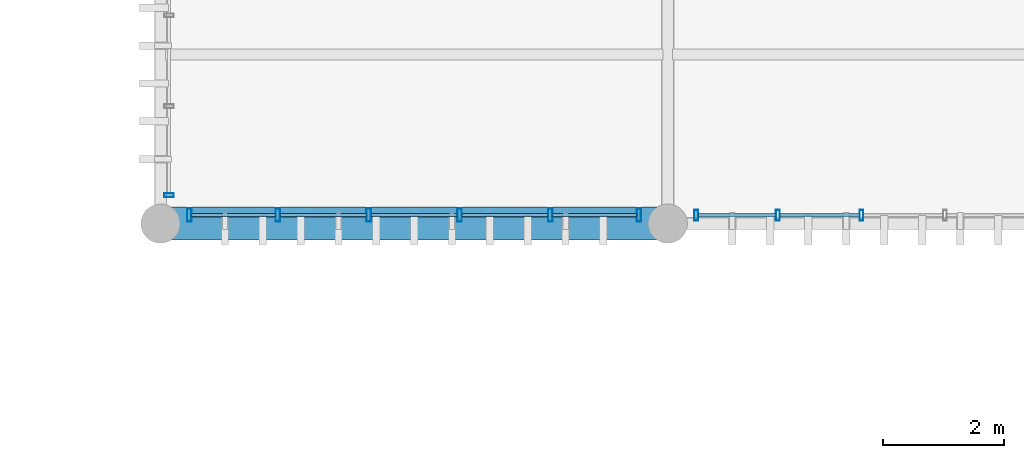
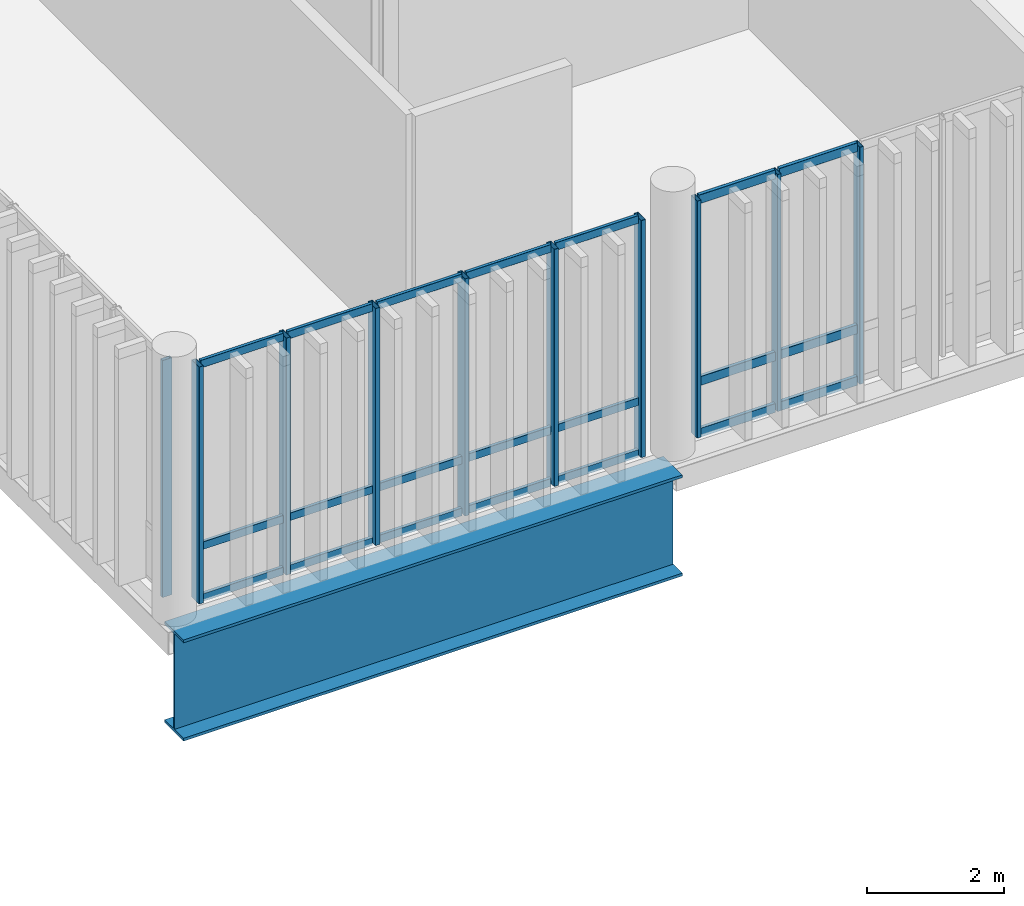
# One storey, part 39 of 81: 31 members, 1 beam, 3 elements without a shape of their own.
"""IFC4 building model written with IfcOpenShell, lengths in metres."""

from ifc_helpers import new_model, si_unit, direction, frame, origin_with_axes, origin_2d_with_axis, place, context, subcontext, project, spatial, hollow_rectangle, i_section, extrude, material, material_profile, profile_set, type_object, element, aggregate, save


model = new_model("IFC4")

# Units and contexts
model_context = context("Model", 3, precision=1e-05, world=origin_with_axes(), true_north=direction((0.0, 1.0)))
body_context = subcontext(model_context, "Body", "Model", "MODEL_VIEW")
ifc_project = project(units=[si_unit("LENGTHUNIT", "METRE"), si_unit("AREAUNIT", "SQUARE_METRE"), si_unit("VOLUMEUNIT", "CUBIC_METRE"), si_unit("PLANEANGLEUNIT", "RADIAN"), si_unit("MASSUNIT", "GRAM", prefix="KILO"), si_unit("THERMODYNAMICTEMPERATUREUNIT", "KELVIN")], contexts=[model_context])

# Site, building, storey
site_placement = place(None, origin_with_axes())
site = spatial("IfcSite", under=ifc_project, at=site_placement, CompositionType="ELEMENT")
building_placement = place(site_placement, origin_with_axes())
building = spatial("IfcBuilding", under=site, at=building_placement, Name="Montbau Bow Law Courts", CompositionType="ELEMENT")
storey_placement = place(building_placement, frame((0.0, 0.0, 24.9), z_axis=(0.0, 0.0, 1.0), x_axis=(1.0, 0.0, 0.0)))
storey = spatial("IfcBuildingStorey", under=building, at=storey_placement, Name="L05", CompositionType="ELEMENT", Elevation=24.9)

# Beam
ifc_material_1 = material(Name="Steel CSA G40.21 Grade 350WT (350 MPa)", Category="steel")
ifc_material_profile_1 = material_profile(ifc_material_1, i_section(OverallWidth=0.55, OverallDepth=1.8, WebThickness=0.022, FlangeThickness=0.05, at=origin_2d_with_axis()), Name="WWF1800X550", Category="Main", Priority=0)
ifc_profile_set_1 = profile_set([ifc_material_profile_1], Name="Steel CSA G40.21 Grade 350WT (350 MPa)")
beam_type = type_object("IfcBeamType", Name="B-TRG-01", PredefinedType="USERDEFINED", material=ifc_profile_set_1)
beam_placement = place(None, frame((138.6, 78.0, 23.7), z_axis=(1.0, 0.0, 0.0), x_axis=(0.0, 1.0, 0.0)))
element("IfcBeam", 1, at=beam_placement, inside=storey, type_object=beam_type, Name="TRG-L05-S0116:bm2_0119", ObjectType="GIRDER", PredefinedType="USERDEFINED", context=body_context, shape_type="SweptSolid", body=[
    extrude(i_section(OverallWidth=0.55, OverallDepth=1.8, WebThickness=0.022, FlangeThickness=0.05, at=origin_2d_with_axis()), origin_with_axes(), (0.0, 0.0, 1.0), 8.4),
])

# Curtain wall, members
ifc_material_2 = material(Name="Thermally Broken Extruded Aluminium AA 6063-T6", Category="aluminium")
curtain_wall_type = type_object("IfcCurtainWallType", Name="CW-SLT-02", PredefinedType="NOTDEFINED", material=ifc_material_2)
curtain_wall_1_placement = place(None, frame((139.04, 78.14, 24.9), z_axis=(0.0, 0.0, 1.0), x_axis=(1.0, 0.0, 0.0)))
curtain_wall_1 = element("IfcCurtainWall", 2, at=curtain_wall_1_placement, inside=storey, type_object=curtain_wall_type, Name="CW-L05-333:cw_0333", PredefinedType="NOTDEFINED")
ifc_material_profile_2 = material_profile(ifc_material_2, hollow_rectangle(XDim=0.075, YDim=0.22, WallThickness=0.005, InnerFilletRadius=0.01, OuterFilletRadius=0.005, at=origin_2d_with_axis()), Name="CWM-220X75", Category="Main", Priority=0)
ifc_profile_set_2 = profile_set([ifc_material_profile_2], Name="Thermally Broken Extruded Aluminium AA 6063-T6")
member_type_1 = type_object("IfcMemberType", Name="M-MUL-01", PredefinedType="MULLION", material=ifc_profile_set_2)
member_1_placement = place(None, frame((139.077, 78.14, 24.9), z_axis=(0.0, 0.0, 1.0), x_axis=(1.0, 0.0, 0.0)))
member_1 = element("IfcMember", 3, at=member_1_placement, type_object=member_type_1, Name="CW-L05-333-M01:cw_0333_M01", PredefinedType="MULLION", context=body_context, shape_type="SweptSolid", body=[
    extrude(hollow_rectangle(XDim=0.075, YDim=0.22, WallThickness=0.005, InnerFilletRadius=0.01, OuterFilletRadius=0.005, at=origin_2d_with_axis()), origin_with_axes(), (0.0, 0.0, 1.0), 4.22),
])
member_2_placement = place(None, frame((140.544, 78.14, 24.9), z_axis=(0.0, 0.0, 1.0), x_axis=(1.0, 0.0, 0.0)))
member_2 = element("IfcMember", 4, at=member_2_placement, type_object=member_type_1, Name="CW-L05-333-M02:cw_0333_M02", PredefinedType="MULLION", context=body_context, shape_type="SweptSolid", body=[
    extrude(hollow_rectangle(XDim=0.075, YDim=0.22, WallThickness=0.005, InnerFilletRadius=0.01, OuterFilletRadius=0.005, at=origin_2d_with_axis()), origin_with_axes(), (0.0, 0.0, 1.0), 4.22),
])
member_3_placement = place(None, frame((142.048, 78.14, 24.9), z_axis=(0.0, 0.0, 1.0), x_axis=(1.0, 0.0, 0.0)))
member_3 = element("IfcMember", 5, at=member_3_placement, type_object=member_type_1, Name="CW-L05-333-M03:cw_0333_M03", PredefinedType="MULLION", context=body_context, shape_type="SweptSolid", body=[
    extrude(hollow_rectangle(XDim=0.075, YDim=0.22, WallThickness=0.005, InnerFilletRadius=0.01, OuterFilletRadius=0.005, at=origin_2d_with_axis()), origin_with_axes(), (0.0, 0.0, 1.0), 4.22),
])
member_4_placement = place(None, frame((143.552, 78.14, 24.9), z_axis=(0.0, 0.0, 1.0), x_axis=(1.0, 0.0, 0.0)))
member_4 = element("IfcMember", 6, at=member_4_placement, type_object=member_type_1, Name="CW-L05-333-M04:cw_0333_M04", PredefinedType="MULLION", context=body_context, shape_type="SweptSolid", body=[
    extrude(hollow_rectangle(XDim=0.075, YDim=0.22, WallThickness=0.005, InnerFilletRadius=0.01, OuterFilletRadius=0.005, at=origin_2d_with_axis()), origin_with_axes(), (0.0, 0.0, 1.0), 4.22),
])
member_5_placement = place(None, frame((145.056, 78.14, 24.9), z_axis=(0.0, 0.0, 1.0), x_axis=(1.0, 0.0, 0.0)))
member_5 = element("IfcMember", 7, at=member_5_placement, type_object=member_type_1, Name="CW-L05-333-M05:cw_0333_M05", PredefinedType="MULLION", context=body_context, shape_type="SweptSolid", body=[
    extrude(hollow_rectangle(XDim=0.075, YDim=0.22, WallThickness=0.005, InnerFilletRadius=0.01, OuterFilletRadius=0.005, at=origin_2d_with_axis()), origin_with_axes(), (0.0, 0.0, 1.0), 4.22),
])
member_6_placement = place(None, frame((146.523, 78.14, 24.9), z_axis=(0.0, 0.0, 1.0), x_axis=(1.0, 0.0, 0.0)))
member_6 = element("IfcMember", 8, at=member_6_placement, type_object=member_type_1, Name="CW-L05-333-M06:cw_0333_M06", PredefinedType="MULLION", context=body_context, shape_type="SweptSolid", body=[
    extrude(hollow_rectangle(XDim=0.075, YDim=0.22, WallThickness=0.005, InnerFilletRadius=0.01, OuterFilletRadius=0.005, at=origin_2d_with_axis()), origin_with_axes(), (0.0, 0.0, 1.0), 4.22),
])

curtain_wall_2_placement = place(None, frame((147.44, 78.14, 24.9), z_axis=(0.0, 0.0, 1.0), x_axis=(1.0, 0.0, 0.0)))
curtain_wall_2 = element("IfcCurtainWall", 9, at=curtain_wall_2_placement, inside=storey, type_object=curtain_wall_type, Name="CW-L05-334:cw_0334", PredefinedType="NOTDEFINED")
ifc_material_profile_3 = material_profile(ifc_material_2, hollow_rectangle(XDim=0.065, YDim=0.18, WallThickness=0.005, InnerFilletRadius=0.01, OuterFilletRadius=0.005, at=origin_2d_with_axis()), Name="CWM-180X65", Category="Main", Priority=0)
ifc_profile_set_3 = profile_set([ifc_material_profile_3], Name="Thermally Broken Extruded Aluminium AA 6063-T6")
member_type_2 = type_object("IfcMemberType", Name="M-MUL-02", PredefinedType="MULLION", material=ifc_profile_set_3)
member_7_placement = place(None, frame((147.473, 78.14, 24.9), z_axis=(0.0, 0.0, 1.0), x_axis=(1.0, 0.0, 0.0)))
member_7 = element("IfcMember", 10, at=member_7_placement, type_object=member_type_2, Name="CW-L05-334-M01:cw_0334_M01", PredefinedType="MULLION", context=body_context, shape_type="SweptSolid", body=[
    extrude(hollow_rectangle(XDim=0.065, YDim=0.18, WallThickness=0.005, InnerFilletRadius=0.01, OuterFilletRadius=0.005, at=origin_2d_with_axis()), origin_with_axes(), (0.0, 0.0, 1.0), 4.22),
])
member_8_placement = place(None, frame((148.824, 78.14, 24.9), z_axis=(0.0, 0.0, 1.0), x_axis=(1.0, 0.0, 0.0)))
member_8 = element("IfcMember", 11, at=member_8_placement, type_object=member_type_2, Name="CW-L05-334-M02:cw_0334_M02", PredefinedType="MULLION", context=body_context, shape_type="SweptSolid", body=[
    extrude(hollow_rectangle(XDim=0.065, YDim=0.18, WallThickness=0.005, InnerFilletRadius=0.01, OuterFilletRadius=0.005, at=origin_2d_with_axis()), origin_with_axes(), (0.0, 0.0, 1.0), 4.22),
])
member_9_placement = place(None, frame((150.208, 78.14, 24.9), z_axis=(0.0, 0.0, 1.0), x_axis=(1.0, 0.0, 0.0)))
member_9 = element("IfcMember", 12, at=member_9_placement, type_object=member_type_2, Name="CW-L05-334-M03:cw_0334_M03", PredefinedType="MULLION", context=body_context, shape_type="SweptSolid", body=[
    extrude(hollow_rectangle(XDim=0.065, YDim=0.18, WallThickness=0.005, InnerFilletRadius=0.01, OuterFilletRadius=0.005, at=origin_2d_with_axis()), origin_with_axes(), (0.0, 0.0, 1.0), 4.22),
])

# Curtain wall, member
curtain_wall_3_placement = place(None, frame((138.74, 78.44, 24.9), z_axis=(0.0, 0.0, 1.0), x_axis=(1.0, 0.0, 0.0)))
curtain_wall_3 = element("IfcCurtainWall", 13, at=curtain_wall_3_placement, inside=storey, type_object=curtain_wall_type, Name="CW-L05-341:cw_0341", PredefinedType="NOTDEFINED")
ifc_material_profile_4 = material_profile(ifc_material_2, hollow_rectangle(XDim=0.06, YDim=0.16, WallThickness=0.004, InnerFilletRadius=0.008, OuterFilletRadius=0.004, at=origin_2d_with_axis()), Name="CWM-160X60", Category="Main", Priority=0)
ifc_profile_set_4 = profile_set([ifc_material_profile_4], Name="Thermally Broken Extruded Aluminium AA 6063-T6")
member_type_3 = type_object("IfcMemberType", Name="M-MUL-03", PredefinedType="MULLION", material=ifc_profile_set_4)
member_10_placement = place(None, frame((138.74, 78.47, 24.9), z_axis=(0.0, 0.0, 1.0), x_axis=(0.0, 1.0, 0.0)))
member_10 = element("IfcMember", 14, at=member_10_placement, type_object=member_type_3, Name="CW-L05-341-M01:cw_0341_M01", PredefinedType="MULLION", context=body_context, shape_type="SweptSolid", body=[
    extrude(hollow_rectangle(XDim=0.06, YDim=0.16, WallThickness=0.004, InnerFilletRadius=0.008, OuterFilletRadius=0.004, at=origin_2d_with_axis()), origin_with_axes(), (0.0, 0.0, 1.0), 4.22),
])
aggregate(curtain_wall_3, [member_10])

# Member
ifc_material_profile_5 = material_profile(ifc_material_2, hollow_rectangle(XDim=0.06, YDim=0.16, WallThickness=0.004, InnerFilletRadius=0.008, OuterFilletRadius=0.004, at=origin_2d_with_axis()), Name="CWT-160X60", Category="Main", Priority=0)
ifc_profile_set_5 = profile_set([ifc_material_profile_5], Name="Thermally Broken Extruded Aluminium AA 6063-T6")
member_type_4 = type_object("IfcMemberType", Name="M-TRN-01", PredefinedType="USERDEFINED", material=ifc_profile_set_5)
member_11_placement = place(None, frame((147.508, 78.14, 24.93), z_axis=(1.0, 0.0, 0.0), x_axis=(0.0, 1.0, 0.0)))
member_11 = element("IfcMember", 15, at=member_11_placement, type_object=member_type_4, Name="CW-L05-334-T01-1:cw_0334_T01_1", ObjectType="TRANSOM", PredefinedType="USERDEFINED", context=body_context, shape_type="SweptSolid", body=[
    extrude(hollow_rectangle(XDim=0.06, YDim=0.16, WallThickness=0.004, InnerFilletRadius=0.008, OuterFilletRadius=0.004, at=origin_2d_with_axis()), origin_with_axes(), (0.0, 0.0, 1.0), 1.281),
])

member_12_placement = place(None, frame((147.508, 78.14, 25.85), z_axis=(1.0, 0.0, 0.0), x_axis=(0.0, 1.0, 0.0)))
member_12 = element("IfcMember", 16, at=member_12_placement, type_object=member_type_4, Name="CW-L05-334-T01-2:cw_0334_T01_2", ObjectType="TRANSOM", PredefinedType="USERDEFINED", context=body_context, shape_type="SweptSolid", body=[
    extrude(hollow_rectangle(XDim=0.06, YDim=0.16, WallThickness=0.004, InnerFilletRadius=0.008, OuterFilletRadius=0.004, at=origin_2d_with_axis()), origin_with_axes(), (0.0, 0.0, 1.0), 1.281),
])

member_13_placement = place(None, frame((147.508, 78.14, 29.09), z_axis=(1.0, 0.0, 0.0), x_axis=(0.0, 1.0, 0.0)))
member_13 = element("IfcMember", 17, at=member_13_placement, type_object=member_type_4, Name="CW-L05-334-T01-3:cw_0334_T01_3", ObjectType="TRANSOM", PredefinedType="USERDEFINED", context=body_context, shape_type="SweptSolid", body=[
    extrude(hollow_rectangle(XDim=0.06, YDim=0.16, WallThickness=0.004, InnerFilletRadius=0.008, OuterFilletRadius=0.004, at=origin_2d_with_axis()), origin_with_axes(), (0.0, 0.0, 1.0), 1.281),
])

member_14_placement = place(None, frame((148.858, 78.14, 24.93), z_axis=(1.0, 0.0, 0.0), x_axis=(0.0, 1.0, 0.0)))
member_14 = element("IfcMember", 18, at=member_14_placement, type_object=member_type_4, Name="CW-L05-334-T02-1:cw_0334_T02_1", ObjectType="TRANSOM", PredefinedType="USERDEFINED", context=body_context, shape_type="SweptSolid", body=[
    extrude(hollow_rectangle(XDim=0.06, YDim=0.16, WallThickness=0.004, InnerFilletRadius=0.008, OuterFilletRadius=0.004, at=origin_2d_with_axis()), origin_with_axes(), (0.0, 0.0, 1.0), 1.315),
])

member_15_placement = place(None, frame((148.858, 78.14, 25.85), z_axis=(1.0, 0.0, 0.0), x_axis=(0.0, 1.0, 0.0)))
member_15 = element("IfcMember", 19, at=member_15_placement, type_object=member_type_4, Name="CW-L05-334-T02-2:cw_0334_T02_2", ObjectType="TRANSOM", PredefinedType="USERDEFINED", context=body_context, shape_type="SweptSolid", body=[
    extrude(hollow_rectangle(XDim=0.06, YDim=0.16, WallThickness=0.004, InnerFilletRadius=0.008, OuterFilletRadius=0.004, at=origin_2d_with_axis()), origin_with_axes(), (0.0, 0.0, 1.0), 1.315),
])

member_16_placement = place(None, frame((148.858, 78.14, 29.09), z_axis=(1.0, 0.0, 0.0), x_axis=(0.0, 1.0, 0.0)))
member_16 = element("IfcMember", 20, at=member_16_placement, type_object=member_type_4, Name="CW-L05-334-T02-3:cw_0334_T02_3", ObjectType="TRANSOM", PredefinedType="USERDEFINED", context=body_context, shape_type="SweptSolid", body=[
    extrude(hollow_rectangle(XDim=0.06, YDim=0.16, WallThickness=0.004, InnerFilletRadius=0.008, OuterFilletRadius=0.004, at=origin_2d_with_axis()), origin_with_axes(), (0.0, 0.0, 1.0), 1.315),
])

aggregate(curtain_wall_2, [member_7, member_8, member_9, member_11, member_12, member_13, member_14, member_15, member_16])

ifc_material_profile_6 = material_profile(ifc_material_2, hollow_rectangle(XDim=0.055, YDim=0.14, WallThickness=0.004, InnerFilletRadius=0.008, OuterFilletRadius=0.004, at=origin_2d_with_axis()), Name="CWT-140X55", Category="Main", Priority=0)
ifc_profile_set_6 = profile_set([ifc_material_profile_6], Name="Thermally Broken Extruded Aluminium AA 6063-T6")
member_type_5 = type_object("IfcMemberType", Name="M-TRN-02", PredefinedType="USERDEFINED", material=ifc_profile_set_6)
member_17_placement = place(None, frame((139.116, 78.14, 24.927), z_axis=(1.0, 0.0, 0.0), x_axis=(0.0, 1.0, 0.0)))
member_17 = element("IfcMember", 21, at=member_17_placement, type_object=member_type_5, Name="CW-L05-333-T01-1:cw_0333_T01_1", ObjectType="TRANSOM", PredefinedType="USERDEFINED", context=body_context, shape_type="SweptSolid", body=[
    extrude(hollow_rectangle(XDim=0.055, YDim=0.14, WallThickness=0.004, InnerFilletRadius=0.008, OuterFilletRadius=0.004, at=origin_2d_with_axis()), origin_with_axes(), (0.0, 0.0, 1.0), 1.388),
])

member_18_placement = place(None, frame((139.116, 78.14, 25.85), z_axis=(1.0, 0.0, 0.0), x_axis=(0.0, 1.0, 0.0)))
member_18 = element("IfcMember", 22, at=member_18_placement, type_object=member_type_5, Name="CW-L05-333-T01-2:cw_0333_T01_2", ObjectType="TRANSOM", PredefinedType="USERDEFINED", context=body_context, shape_type="SweptSolid", body=[
    extrude(hollow_rectangle(XDim=0.055, YDim=0.14, WallThickness=0.004, InnerFilletRadius=0.008, OuterFilletRadius=0.004, at=origin_2d_with_axis()), origin_with_axes(), (0.0, 0.0, 1.0), 1.388),
])

member_19_placement = place(None, frame((139.116, 78.14, 29.093), z_axis=(1.0, 0.0, 0.0), x_axis=(0.0, 1.0, 0.0)))
member_19 = element("IfcMember", 23, at=member_19_placement, type_object=member_type_5, Name="CW-L05-333-T01-3:cw_0333_T01_3", ObjectType="TRANSOM", PredefinedType="USERDEFINED", context=body_context, shape_type="SweptSolid", body=[
    extrude(hollow_rectangle(XDim=0.055, YDim=0.14, WallThickness=0.004, InnerFilletRadius=0.008, OuterFilletRadius=0.004, at=origin_2d_with_axis()), origin_with_axes(), (0.0, 0.0, 1.0), 1.388),
])

member_20_placement = place(None, frame((140.584, 78.14, 24.927), z_axis=(1.0, 0.0, 0.0), x_axis=(0.0, 1.0, 0.0)))
member_20 = element("IfcMember", 24, at=member_20_placement, type_object=member_type_5, Name="CW-L05-333-T02-1:cw_0333_T02_1", ObjectType="TRANSOM", PredefinedType="USERDEFINED", context=body_context, shape_type="SweptSolid", body=[
    extrude(hollow_rectangle(XDim=0.055, YDim=0.14, WallThickness=0.004, InnerFilletRadius=0.008, OuterFilletRadius=0.004, at=origin_2d_with_axis()), origin_with_axes(), (0.0, 0.0, 1.0), 1.425),
])

member_21_placement = place(None, frame((140.584, 78.14, 25.85), z_axis=(1.0, 0.0, 0.0), x_axis=(0.0, 1.0, 0.0)))
member_21 = element("IfcMember", 25, at=member_21_placement, type_object=member_type_5, Name="CW-L05-333-T02-2:cw_0333_T02_2", ObjectType="TRANSOM", PredefinedType="USERDEFINED", context=body_context, shape_type="SweptSolid", body=[
    extrude(hollow_rectangle(XDim=0.055, YDim=0.14, WallThickness=0.004, InnerFilletRadius=0.008, OuterFilletRadius=0.004, at=origin_2d_with_axis()), origin_with_axes(), (0.0, 0.0, 1.0), 1.425),
])

member_22_placement = place(None, frame((140.584, 78.14, 29.093), z_axis=(1.0, 0.0, 0.0), x_axis=(0.0, 1.0, 0.0)))
member_22 = element("IfcMember", 26, at=member_22_placement, type_object=member_type_5, Name="CW-L05-333-T02-3:cw_0333_T02_3", ObjectType="TRANSOM", PredefinedType="USERDEFINED", context=body_context, shape_type="SweptSolid", body=[
    extrude(hollow_rectangle(XDim=0.055, YDim=0.14, WallThickness=0.004, InnerFilletRadius=0.008, OuterFilletRadius=0.004, at=origin_2d_with_axis()), origin_with_axes(), (0.0, 0.0, 1.0), 1.425),
])

member_23_placement = place(None, frame((142.087, 78.14, 24.927), z_axis=(1.0, 0.0, 0.0), x_axis=(0.0, 1.0, 0.0)))
member_23 = element("IfcMember", 27, at=member_23_placement, type_object=member_type_5, Name="CW-L05-333-T03-1:cw_0333_T03_1", ObjectType="TRANSOM", PredefinedType="USERDEFINED", context=body_context, shape_type="SweptSolid", body=[
    extrude(hollow_rectangle(XDim=0.055, YDim=0.14, WallThickness=0.004, InnerFilletRadius=0.008, OuterFilletRadius=0.004, at=origin_2d_with_axis()), origin_with_axes(), (0.0, 0.0, 1.0), 1.426),
])

member_24_placement = place(None, frame((142.087, 78.14, 25.85), z_axis=(1.0, 0.0, 0.0), x_axis=(0.0, 1.0, 0.0)))
member_24 = element("IfcMember", 28, at=member_24_placement, type_object=member_type_5, Name="CW-L05-333-T03-2:cw_0333_T03_2", ObjectType="TRANSOM", PredefinedType="USERDEFINED", context=body_context, shape_type="SweptSolid", body=[
    extrude(hollow_rectangle(XDim=0.055, YDim=0.14, WallThickness=0.004, InnerFilletRadius=0.008, OuterFilletRadius=0.004, at=origin_2d_with_axis()), origin_with_axes(), (0.0, 0.0, 1.0), 1.426),
])

member_25_placement = place(None, frame((142.087, 78.14, 29.093), z_axis=(1.0, 0.0, 0.0), x_axis=(0.0, 1.0, 0.0)))
member_25 = element("IfcMember", 29, at=member_25_placement, type_object=member_type_5, Name="CW-L05-333-T03-3:cw_0333_T03_3", ObjectType="TRANSOM", PredefinedType="USERDEFINED", context=body_context, shape_type="SweptSolid", body=[
    extrude(hollow_rectangle(XDim=0.055, YDim=0.14, WallThickness=0.004, InnerFilletRadius=0.008, OuterFilletRadius=0.004, at=origin_2d_with_axis()), origin_with_axes(), (0.0, 0.0, 1.0), 1.426),
])

member_26_placement = place(None, frame((143.591, 78.14, 24.927), z_axis=(1.0, 0.0, 0.0), x_axis=(0.0, 1.0, 0.0)))
member_26 = element("IfcMember", 30, at=member_26_placement, type_object=member_type_5, Name="CW-L05-333-T04-1:cw_0333_T04_1", ObjectType="TRANSOM", PredefinedType="USERDEFINED", context=body_context, shape_type="SweptSolid", body=[
    extrude(hollow_rectangle(XDim=0.055, YDim=0.14, WallThickness=0.004, InnerFilletRadius=0.008, OuterFilletRadius=0.004, at=origin_2d_with_axis()), origin_with_axes(), (0.0, 0.0, 1.0), 1.426),
])

member_27_placement = place(None, frame((143.591, 78.14, 25.85), z_axis=(1.0, 0.0, 0.0), x_axis=(0.0, 1.0, 0.0)))
member_27 = element("IfcMember", 31, at=member_27_placement, type_object=member_type_5, Name="CW-L05-333-T04-2:cw_0333_T04_2", ObjectType="TRANSOM", PredefinedType="USERDEFINED", context=body_context, shape_type="SweptSolid", body=[
    extrude(hollow_rectangle(XDim=0.055, YDim=0.14, WallThickness=0.004, InnerFilletRadius=0.008, OuterFilletRadius=0.004, at=origin_2d_with_axis()), origin_with_axes(), (0.0, 0.0, 1.0), 1.426),
])

member_28_placement = place(None, frame((143.591, 78.14, 29.093), z_axis=(1.0, 0.0, 0.0), x_axis=(0.0, 1.0, 0.0)))
member_28 = element("IfcMember", 32, at=member_28_placement, type_object=member_type_5, Name="CW-L05-333-T04-3:cw_0333_T04_3", ObjectType="TRANSOM", PredefinedType="USERDEFINED", context=body_context, shape_type="SweptSolid", body=[
    extrude(hollow_rectangle(XDim=0.055, YDim=0.14, WallThickness=0.004, InnerFilletRadius=0.008, OuterFilletRadius=0.004, at=origin_2d_with_axis()), origin_with_axes(), (0.0, 0.0, 1.0), 1.426),
])

member_29_placement = place(None, frame((145.095, 78.14, 24.927), z_axis=(1.0, 0.0, 0.0), x_axis=(0.0, 1.0, 0.0)))
member_29 = element("IfcMember", 33, at=member_29_placement, type_object=member_type_5, Name="CW-L05-333-T05-1:cw_0333_T05_1", ObjectType="TRANSOM", PredefinedType="USERDEFINED", context=body_context, shape_type="SweptSolid", body=[
    extrude(hollow_rectangle(XDim=0.055, YDim=0.14, WallThickness=0.004, InnerFilletRadius=0.008, OuterFilletRadius=0.004, at=origin_2d_with_axis()), origin_with_axes(), (0.0, 0.0, 1.0), 1.389),
])

member_30_placement = place(None, frame((145.095, 78.14, 25.85), z_axis=(1.0, 0.0, 0.0), x_axis=(0.0, 1.0, 0.0)))
member_30 = element("IfcMember", 34, at=member_30_placement, type_object=member_type_5, Name="CW-L05-333-T05-2:cw_0333_T05_2", ObjectType="TRANSOM", PredefinedType="USERDEFINED", context=body_context, shape_type="SweptSolid", body=[
    extrude(hollow_rectangle(XDim=0.055, YDim=0.14, WallThickness=0.004, InnerFilletRadius=0.008, OuterFilletRadius=0.004, at=origin_2d_with_axis()), origin_with_axes(), (0.0, 0.0, 1.0), 1.389),
])

member_31_placement = place(None, frame((145.095, 78.14, 29.093), z_axis=(1.0, 0.0, 0.0), x_axis=(0.0, 1.0, 0.0)))
member_31 = element("IfcMember", 35, at=member_31_placement, type_object=member_type_5, Name="CW-L05-333-T05-3:cw_0333_T05_3", ObjectType="TRANSOM", PredefinedType="USERDEFINED", context=body_context, shape_type="SweptSolid", body=[
    extrude(hollow_rectangle(XDim=0.055, YDim=0.14, WallThickness=0.004, InnerFilletRadius=0.008, OuterFilletRadius=0.004, at=origin_2d_with_axis()), origin_with_axes(), (0.0, 0.0, 1.0), 1.389),
])

aggregate(curtain_wall_1, [member_1, member_2, member_3, member_4, member_5, member_6, member_17, member_18, member_19, member_20, member_21, member_22, member_23, member_24, member_25, member_26, member_27, member_28, member_29, member_30, member_31])

save(model, "model.ifc")
